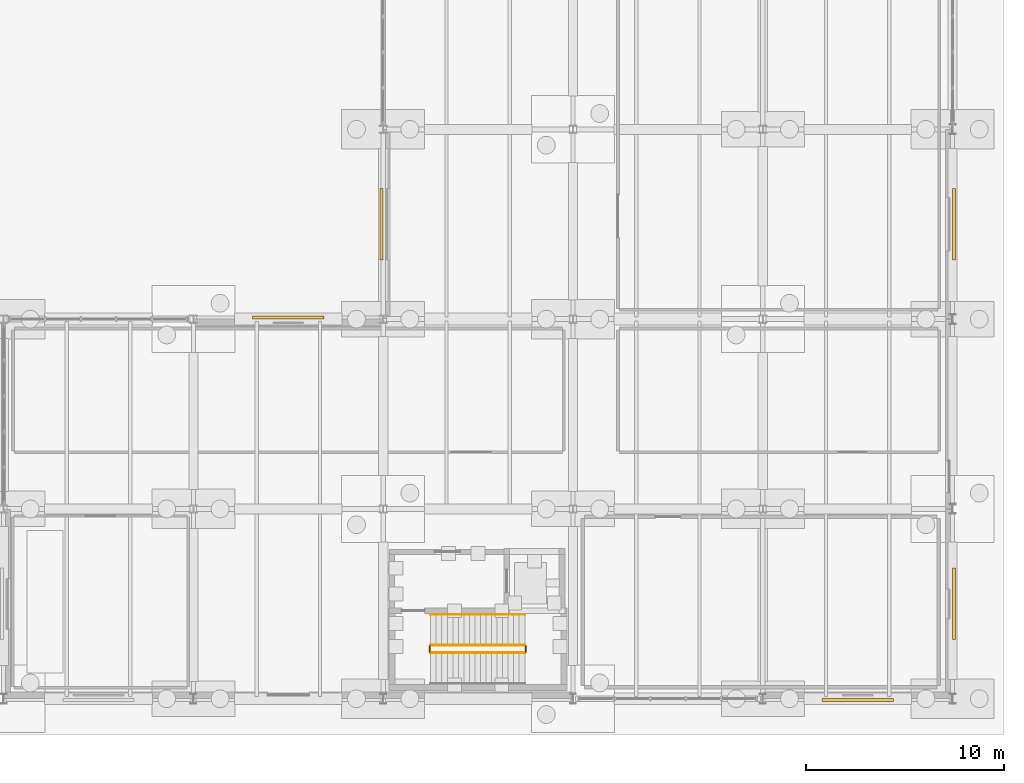
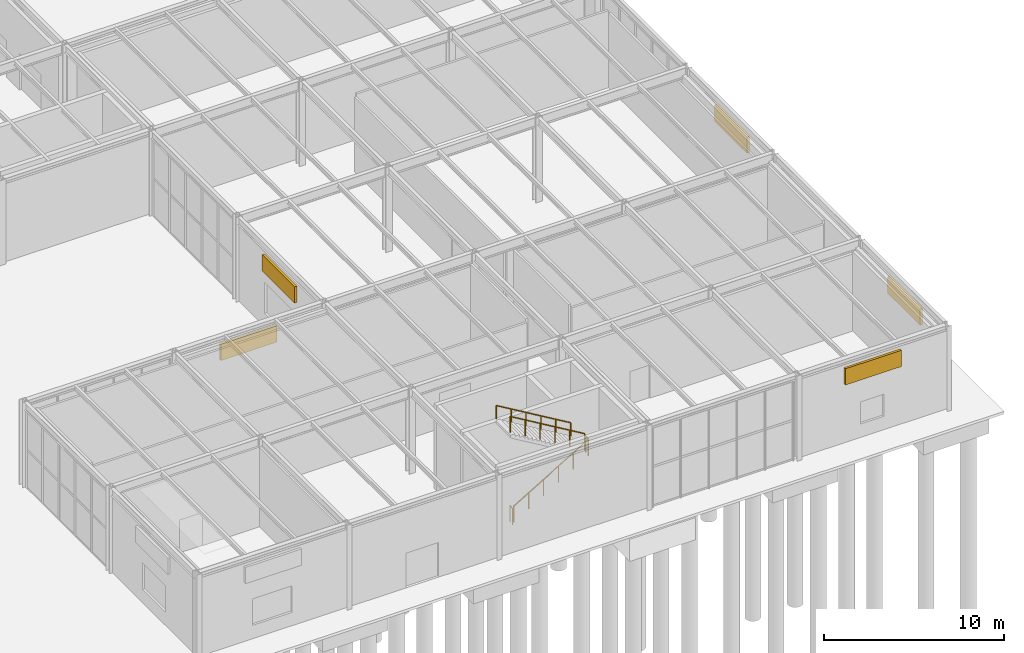
# One storey, part 138 of 142: 5 railings, 5 shading devices.
"""IFC4 building model written with IfcOpenShell, lengths in metres."""

import ifcopenshell
import ifcopenshell.guid

model = None  # the IFC model being written
_history = None  # IfcOwnerHistory: only IFC2X3 demands one
_inside = {}  # id of a spatial element -> (the spatial element, [elements in it])
_under = {}  # id of a project, library or spatial element -> (it, [spatial elements below it])
_declared = {}  # id of a project -> (the project, [libraries it declares])
_typed = {}  # id of a type object -> (the type object, [elements of that type])
_made_of = {}  # id of a material, layer set ... -> (it, [elements and type objects made of it])


def new_model(schema):
    """Start an empty IFC model of exactly this schema.

    Asked for "IFC4X3", IfcOpenShell would pick the latest addendum, in which some entities
    have other attributes; the version numbers below select the first issue.
    IFC2X3 requires an IfcOwnerHistory on every rooted entity: one is made here for all.
    """
    global model, _history
    if schema == "IFC4X3":
        model = ifcopenshell.file(schema_version=(4, 3, 0, 0))
    else:
        model = ifcopenshell.file(schema=schema)
    _inside.clear()
    _under.clear()
    _declared.clear()
    _typed.clear()
    _made_of.clear()
    _history = None
    if model.schema == "IFC2X3":
        org = make("IfcOrganization", Name="unknown")
        user = make(
            "IfcPersonAndOrganization",
            ThePerson=make("IfcPerson", FamilyName="unknown"),
            TheOrganization=org,
        )
        app = make(
            "IfcApplication",
            ApplicationDeveloper=org,
            Version="unknown",
            ApplicationFullName="unknown",
            ApplicationIdentifier="unknown",
        )
        _history = make(
            "IfcOwnerHistory",
            OwningUser=user,
            OwningApplication=app,
            ChangeAction="ADDED",
            CreationDate=0,
        )
    return model


def make(cls, **values):
    """One entity of the class cls with the attributes given. An attribute that is None is left unset."""
    return model.create_entity(
        cls, **{name: value for name, value in values.items() if value is not None}
    )


def rooted(cls, **values):
    """An entity with a GlobalId (a new one), such as an element, a storey or a relation."""
    return make(cls, GlobalId=ifcopenshell.guid.new(), OwnerHistory=_history, **values)


def si_unit(unit_type, name, prefix=None):
    """IfcSIUnit, for example si_unit("LENGTHUNIT", "METRE", prefix="MILLI")."""
    return make("IfcSIUnit", UnitType=unit_type, Prefix=prefix, Name=name)


def assignment(units):
    """IfcUnitAssignment: the units of a project."""
    return None if units is None else make("IfcUnitAssignment", Units=units)


def point(xyz):
    """IfcCartesianPoint."""
    return None if xyz is None else make("IfcCartesianPoint", Coordinates=xyz)


def direction(xyz):
    """IfcDirection."""
    return None if xyz is None else make("IfcDirection", DirectionRatios=xyz)


def frame(location, z_axis=None, x_axis=None):
    """IfcAxis2Placement3D, a coordinate frame: its origin and axes. An axis left out is left unset."""
    return make(
        "IfcAxis2Placement3D",
        Location=point(location),
        Axis=direction(z_axis),
        RefDirection=direction(x_axis),
    )


def frame_2d(location, x_axis=None):
    """IfcAxis2Placement2D, a coordinate frame in the plane: its origin and x axis."""
    return make(
        "IfcAxis2Placement2D", Location=point(location), RefDirection=direction(x_axis)
    )


def origin():
    """The frame at (0, 0, 0) with its axes left unset."""
    return frame((0.0, 0.0, 0.0))


def origin_2d():
    """The frame at (0, 0) in the plane with its x axis left unset."""
    return frame_2d((0.0, 0.0))


def place(relative_to, where):
    """IfcLocalPlacement: puts the frame where relative to a parent placement (None: the world)."""
    return make(
        "IfcLocalPlacement", PlacementRelTo=relative_to, RelativePlacement=where
    )


def context(
    kind, dimensions, precision=None, world=None, true_north=None, identifier=None
):
    """IfcGeometricRepresentationContext, for example the 3D "Model" context."""
    return make(
        "IfcGeometricRepresentationContext",
        ContextIdentifier=identifier,
        ContextType=kind,
        CoordinateSpaceDimension=dimensions,
        Precision=precision,
        WorldCoordinateSystem=world,
        TrueNorth=true_north,
    )


def subcontext(parent, identifier, kind, view, scale=None):
    """IfcGeometricRepresentationSubContext, for example "Body" below "Model"."""
    return make(
        "IfcGeometricRepresentationSubContext",
        ContextIdentifier=identifier,
        ContextType=kind,
        ParentContext=parent,
        TargetScale=scale,
        TargetView=view,
    )


def project(units=None, contexts=None):
    """IfcProject with its units and contexts."""
    return rooted(
        "IfcProject",
        Name="project",
        RepresentationContexts=contexts,
        UnitsInContext=assignment(units),
    )


def spatial(cls, under=None, at=None, **own):
    """A site, building, storey or space (cls), placed at a placement, below another one or the project."""
    s = rooted(cls, ObjectPlacement=at, **own)
    if under is not None:
        _under.setdefault(under.id(), (under, []))[1].append(s)
    return s


def profile(cls, at=None, kind="AREA", **sizes):
    """A parametric profile (cls). Its sizes go by their IFC names, for example OverallWidth=200.0."""
    return make(cls, ProfileType=kind, Position=at, **sizes)


def rectangle(**sizes):
    """IfcRectangleProfileDef."""
    return profile("IfcRectangleProfileDef", **sizes)


def circle(**sizes):
    """IfcCircleProfileDef."""
    return profile("IfcCircleProfileDef", **sizes)


def extrude(swept, where, along, depth):
    """IfcExtrudedAreaSolid: the profile swept, set in the frame where, extruded along a direction by depth."""
    return make(
        "IfcExtrudedAreaSolid",
        SweptArea=swept,
        Position=where,
        ExtrudedDirection=direction(along),
        Depth=depth,
    )


def shape(context_of_items, identifier, shape_type, items):
    """IfcShapeRepresentation: the items that make up one representation, for example the "Body"."""
    return make(
        "IfcShapeRepresentation",
        ContextOfItems=context_of_items,
        RepresentationIdentifier=identifier,
        RepresentationType=shape_type,
        Items=items,
    )


def material(Name=None, Category=None):
    """IfcMaterial."""
    return make("IfcMaterial", Name=Name, Category=Category)


def made_of(thing, what):
    """Note that an element or type object is made of a material, layer set ...; save() writes the relation."""
    if what is not None:
        _made_of.setdefault(what.id(), (what, []))[1].append(thing)
    return thing


def type_object(cls, material=None, **own):
    """A type object (cls), such as IfcWallType, which elements share."""
    return made_of(rooted(cls, **own), material)


def element(
    cls,
    number,
    at=None,
    inside=None,
    cuts=None,
    type_object=None,
    material=None,
    context=None,
    identifier="Body",
    shape_type=None,
    held_by="IfcProductDefinitionShape",
    body=None,
    shapes=None,
    **own,
):
    """One element of the class cls, such as IfcWall. Its Tag is "e" and its number.

    at: its placement. inside: the storey or other place that contains it. cuts: it is an
    opening in that element (IfcRelVoidsElement). A single representation is given by context,
    identifier, shape_type and body (its items); several are given by shapes. held_by: the class
    of the entity that holds the representations. save() writes the other relations.
    """
    e = rooted(cls, Tag="e%d" % number, ObjectPlacement=at, **own)
    if body is not None:
        shapes = [shape(context, identifier, shape_type, body)]
    if shapes is not None:
        e.Representation = make(held_by, Representations=shapes)
    if inside is not None:
        _inside.setdefault(inside.id(), (inside, []))[1].append(e)
    if cuts is not None:
        rooted(
            "IfcRelVoidsElement", RelatingBuildingElement=cuts, RelatedOpeningElement=e
        )
    if type_object is not None:
        _typed.setdefault(type_object.id(), (type_object, []))[1].append(e)
    return made_of(e, material)


def aggregate(whole, parts):
    """IfcRelAggregates: a whole, such as a stair, and the parts it consists of."""
    return rooted("IfcRelAggregates", RelatingObject=whole, RelatedObjects=parts)


def save(model, path):
    """Write the relations noted so far, then the file.

    IfcRelAggregates (storeys below a building ...), IfcRelContainedInSpatialStructure (elements
    in a storey), IfcRelDefinesByType, IfcRelAssociatesMaterial and IfcRelDeclares: one each for
    every whole, place, type object, material and project.
    """
    for whole, parts in _under.values():
        aggregate(whole, parts)
    for where, things in _inside.values():
        rooted(
            "IfcRelContainedInSpatialStructure",
            RelatedElements=things,
            RelatingStructure=where,
        )
    for kind, things in _typed.values():
        rooted("IfcRelDefinesByType", RelatedObjects=things, RelatingType=kind)
    for what, things in _made_of.values():
        rooted("IfcRelAssociatesMaterial", RelatedObjects=things, RelatingMaterial=what)
    for by, libraries in _declared.values():
        rooted("IfcRelDeclares", RelatingContext=by, RelatedDefinitions=libraries)
    model.write(path)


model = new_model("IFC4")

# Units and contexts
model_context = context("Model", 3, precision=1e-05, world=origin(), true_north=direction((0.0, 1.0)))
body_context = subcontext(model_context, "Body", "Model", "MODEL_VIEW")
ifc_project = project(units=[si_unit("LENGTHUNIT", "METRE"), si_unit("AREAUNIT", "SQUARE_METRE"), si_unit("VOLUMEUNIT", "CUBIC_METRE"), si_unit("PLANEANGLEUNIT", "RADIAN"), si_unit("MASSUNIT", "GRAM", prefix="KILO")], contexts=[model_context])

# Site, building, storey
site_placement = place(None, origin())
site = spatial("IfcSite", under=ifc_project, at=site_placement, CompositionType="ELEMENT")
building_placement = place(site_placement, origin())
building = spatial("IfcBuilding", under=site, at=building_placement, Name="Coralgate Yard Interchange", CompositionType="ELEMENT")
storey_placement = place(building_placement, origin())
storey = spatial("IfcBuildingStorey", under=building, at=storey_placement, Name="L00", CompositionType="ELEMENT", Elevation=0.0)

# Railings
ifc_material_1 = material(Name="Grade 316 marine stainless steel and toughened glass balustrade", Category="steel")
railing_type_1 = type_object("IfcRailingType", Name="RLG-GD1100", PredefinedType="BALUSTRADE", material=ifc_material_1)
railing_1_placement = place(storey_placement, frame((156.0, 2.320068359375, 0.166748046875)))
element("IfcRailing", 1, at=railing_1_placement, inside=storey, type_object=railing_type_1, Name="L00 ST-08 stair guard 1", PredefinedType="BALUSTRADE", context=body_context, shape_type="SweptSolid", body=[
    extrude(circle(Radius=0.02392578125, at=origin_2d()), frame((0.0, 0.0, 1.076171875), z_axis=(0.859299802514, 0.0, 0.511472237174), x_axis=(0.0, 1.0, 0.0)), (0.0, 0.0, 1.0), 5.539306640625),
    extrude(circle(Radius=0.02099609375, at=origin_2d()), origin(), (0.0, 0.0, 1.0), 1.051513671875),
    extrude(circle(Radius=0.02099609375, at=origin_2d()), frame((0.951904296875, 0.0, 0.566650390625)), (0.0, 0.0, 1.0), 1.051513671875),
    extrude(circle(Radius=0.02099609375, at=origin_2d()), frame((1.904052734375, 0.0, 1.13330078125)), (0.0, 0.0, 1.0), 1.051513671875),
    extrude(circle(Radius=0.02099609375, at=origin_2d()), frame((2.85595703125, 0.0, 1.699951171875)), (0.0, 0.0, 1.0), 1.051513671875),
    extrude(circle(Radius=0.02099609375, at=origin_2d()), frame((3.80810546875, 0.0, 2.2666015625)), (0.0, 0.0, 1.0), 1.051513671875),
    extrude(circle(Radius=0.02099609375, at=origin_2d()), frame((4.760009765625, 0.0, 2.833251953125)), (0.0, 0.0, 1.0), 1.051513671875),
])
railing_2_placement = place(storey_placement, frame((160.81005859375, 2.3701171875, 3.0)))
element("IfcRailing", 2, at=railing_2_placement, inside=storey, type_object=railing_type_1, Name="L00 ST-08 stair guard 2", PredefinedType="BALUSTRADE", context=body_context, shape_type="SweptSolid", body=[
    extrude(circle(Radius=0.02392578125, at=origin_2d()), frame((0.0, 0.0, 1.076171875), z_axis=(0.0, 1.0, 0.0), x_axis=(-1.0, 0.0, 0.0)), (0.0, 0.0, 1.0), 0.289794921875),
    extrude(circle(Radius=0.02099609375, at=origin_2d()), origin(), (0.0, 0.0, 1.0), 1.051513671875),
    extrude(circle(Radius=0.02099609375, at=origin_2d()), frame((0.0, 0.289794921875, 0.0)), (0.0, 0.0, 1.0), 1.051513671875),
])
railing_3_placement = place(storey_placement, frame((160.760009765625, 2.7099609375, 3.166748046875)))
element("IfcRailing", 3, at=railing_3_placement, inside=storey, type_object=railing_type_1, Name="L00 ST-08 stair guard 3", PredefinedType="BALUSTRADE", context=body_context, shape_type="SweptSolid", body=[
    extrude(circle(Radius=0.02392578125, at=origin_2d()), frame((0.0, 0.0, 1.076171875), z_axis=(-0.859299802514, 0.0, 0.511472237174), x_axis=(0.0, -1.0, 0.0)), (0.0, 0.0, 1.0), 5.539306640625),
    extrude(circle(Radius=0.02099609375, at=origin_2d()), origin(), (0.0, 0.0, 1.0), 1.051513671875),
    extrude(circle(Radius=0.02099609375, at=origin_2d()), frame((-0.951904296875, 0.0, 0.566650390625)), (0.0, 0.0, 1.0), 1.051513671875),
    extrude(circle(Radius=0.02099609375, at=origin_2d()), frame((-1.904052734375, 0.0, 1.13330078125)), (0.0, 0.0, 1.0), 1.051513671875),
    extrude(circle(Radius=0.02099609375, at=origin_2d()), frame((-2.85595703125, 0.0, 1.699951171875)), (0.0, 0.0, 1.0), 1.051513671875),
    extrude(circle(Radius=0.02099609375, at=origin_2d()), frame((-3.80810546875, 0.0, 2.2666015625)), (0.0, 0.0, 1.0), 1.051513671875),
    extrude(circle(Radius=0.02099609375, at=origin_2d()), frame((-4.760009765625, 0.0, 2.833251953125)), (0.0, 0.0, 1.0), 1.051513671875),
])
railing_4_placement = place(storey_placement, frame((155.949951171875, 2.3701171875, 0.0)))
element("IfcRailing", 4, at=railing_4_placement, inside=storey, type_object=railing_type_1, Name="L00 ST-08 stair guard 4", PredefinedType="BALUSTRADE", context=body_context, shape_type="SweptSolid", body=[
    extrude(circle(Radius=0.02392578125, at=origin_2d()), frame((0.0, 0.0, 1.076171875), z_axis=(0.0, 1.0, 0.0), x_axis=(-1.0, 0.0, 0.0)), (0.0, 0.0, 1.0), 0.289794921875),
    extrude(circle(Radius=0.02099609375, at=origin_2d()), origin(), (0.0, 0.0, 1.0), 1.051513671875),
    extrude(circle(Radius=0.02099609375, at=origin_2d()), frame((0.0, 0.289794921875, 0.0)), (0.0, 0.0, 1.0), 1.051513671875),
])
ifc_material_2 = material(Name="Grade 316 marine stainless steel", Category="steel")
railing_type_2 = type_object("IfcRailingType", Name="RLG-HR900", PredefinedType="HANDRAIL", material=ifc_material_2)
railing_5_placement = place(storey_placement, frame((160.760009765625, 4.260009765625, 3.166748046875)))
element("IfcRailing", 5, at=railing_5_placement, inside=storey, type_object=railing_type_2, Name="L00 ST-08 stair handrail 2", PredefinedType="HANDRAIL", context=body_context, shape_type="SweptSolid", body=[
    extrude(circle(Radius=0.02392578125, at=origin_2d()), frame((0.0, 0.0, 0.8759765625), z_axis=(-0.859299802514, 0.0, 0.511472237174), x_axis=(0.0, -1.0, 0.0)), (0.0, 0.0, 1.0), 5.539306640625),
    extrude(circle(Radius=0.02099609375, at=origin_2d()), origin(), (0.0, 0.0, 1.0), 0.851318359375),
    extrude(circle(Radius=0.02099609375, at=origin_2d()), frame((-0.951904296875, 0.0, 0.566650390625)), (0.0, 0.0, 1.0), 0.851318359375),
    extrude(circle(Radius=0.02099609375, at=origin_2d()), frame((-1.904052734375, 0.0, 1.13330078125)), (0.0, 0.0, 1.0), 0.851318359375),
    extrude(circle(Radius=0.02099609375, at=origin_2d()), frame((-2.85595703125, 0.0, 1.699951171875)), (0.0, 0.0, 1.0), 0.851318359375),
    extrude(circle(Radius=0.02099609375, at=origin_2d()), frame((-3.80810546875, 0.0, 2.2666015625)), (0.0, 0.0, 1.0), 0.851318359375),
    extrude(circle(Radius=0.02099609375, at=origin_2d()), frame((-4.760009765625, 0.0, 2.833251953125)), (0.0, 0.0, 1.0), 0.851318359375),
])

# Shading devices
ifc_material_3 = material(Name="Marine anodised extruded aluminium stormproof louvre bank", Category="aluminium")
shading_device_type = type_object("IfcShadingDeviceType", Name="SHD-LV1", PredefinedType="JALOUSIE", material=ifc_material_3)
for number, where, z_axis, x_axis, name in (
    (6, (148.800048828125, 19.27490234375, 4.0), (0.0, 0.0, 1.0), (1.0, 0.0, 0.0), "L00 stormproof aluminium ventilation louvre N-15-1"),
    (7, (153.52490234375, 24.0, 3.81689453125), (0.0, 0.0, 1.0), (0.0, 1.0, 0.0), "L00 stormproof aluminium ventilation louvre W-16-2"),
    (8, (177.60009765625, -0.074951171875, 4.0), (0.0, 0.0, 1.0), (-1.0, 0.0, 0.0), "L00 stormproof aluminium ventilation louvre S-18-0"),
    (9, (182.47509765625, 4.800048828125, 3.81689453125), (0.0, 0.0, 1.0), (0.0, -1.0, 0.0), "L00 stormproof aluminium ventilation louvre E-18-0"),
    (10, (182.47509765625, 24.0, 3.81689453125), (0.0, 0.0, 1.0), (0.0, -1.0, 0.0), "L00 stormproof aluminium ventilation louvre E-18-2"),
):
    element("IfcShadingDevice", number, at=place(storey_placement, frame(where, z_axis=z_axis, x_axis=x_axis)), inside=storey, type_object=shading_device_type, Name=name, PredefinedType="JALOUSIE", context=body_context, shape_type="SweptSolid", body=[
        extrude(rectangle(XDim=3.60009765625, YDim=0.14990234375, at=origin_2d()), origin(), (0.0, 0.0, 1.0), 1.10009765625),
    ])

save(model, "model.ifc")
